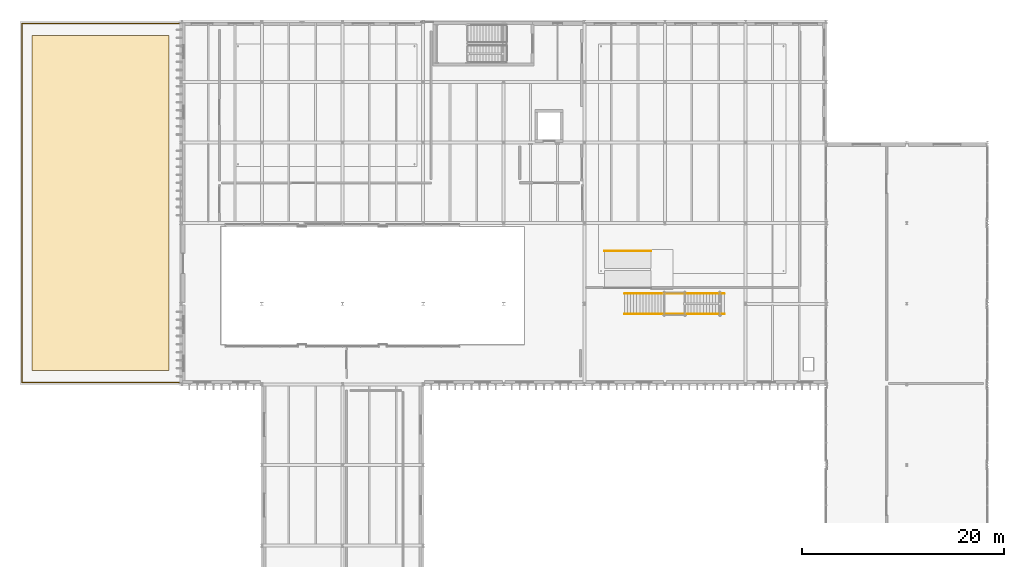
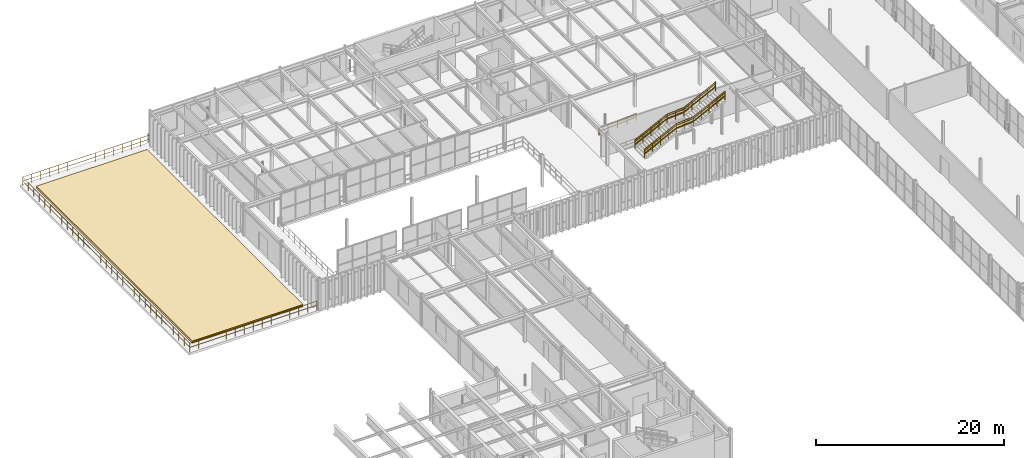
# One storey, part 116 of 122: 6 railings, 1 covering.
"""IFC4 building model written with IfcOpenShell, lengths in metres."""

from ifc_helpers import new_model, si_unit, direction, frame, origin, origin_2d, place, context, subcontext, project, spatial, polyline, circle, outline, extrude, material, layer, layer_set, type_object, element, save


model = new_model("IFC4")

# Units and contexts
model_context = context("Model", 3, precision=1e-05, world=origin(), true_north=direction((0.0, 1.0)))
body_context = subcontext(model_context, "Body", "Model", "MODEL_VIEW")
ifc_project = project(units=[si_unit("LENGTHUNIT", "METRE"), si_unit("AREAUNIT", "SQUARE_METRE"), si_unit("VOLUMEUNIT", "CUBIC_METRE"), si_unit("PLANEANGLEUNIT", "RADIAN"), si_unit("MASSUNIT", "GRAM", prefix="KILO")], contexts=[model_context])

# Site, building, storey
site_placement = place(None, origin())
site = spatial("IfcSite", under=ifc_project, at=site_placement, CompositionType="ELEMENT")
building_placement = place(site_placement, origin())
building = spatial("IfcBuilding", under=site, at=building_placement, Name="Sundkrona Museum", CompositionType="ELEMENT")
storey_placement = place(building_placement, frame((0.0, 0.0, 5.39990234375)))
storey = spatial("IfcBuildingStorey", under=building, at=storey_placement, Name="L01", CompositionType="ELEMENT", Elevation=5.39990234375)

# Covering
ifc_material_1 = material(Name="Extensive Sedum Planting Substrate and Root-Barrier Membrane", Category="other")
ifc_layer = layer(ifc_material_1, 0.300048828125)
ifc_layer_set = layer_set([ifc_layer], Name="Extensive Sedum Planting Substrate and Root-Barrier Membrane")
covering_type = type_object("IfcCoveringType", Name="COV-RF-GRN", PredefinedType="ROOFING", material=ifc_layer_set)
covering_placement = place(storey_placement, origin())
element("IfcCovering", 1, at=covering_placement, inside=storey, type_object=covering_type, Name="L01 West Stepped Terrace Sedum Build-Up (COV-GRN-L01-TR0)", PredefinedType="ROOFING", context=body_context, shape_type="SweptSolid", body=[
    extrude(outline(polyline([(1.199951171875, 79.39990234375), (14.800048828125, 79.39990234375), (14.800048828125, 112.60009765625), (1.199951171875, 112.60009765625), (1.199951171875, 79.39990234375)])), origin(), (0.0, 0.0, 1.0), 0.300048828125),
])

# Railings
ifc_material_2 = material(Name="Painted Steel S355J2 and Laminated Glass Balustrade", Category="steel")
railing_type_1 = type_object("IfcRailingType", Name="RL-GUARD-1100", PredefinedType="BALUSTRADE", material=ifc_material_2)
railing_1_placement = place(storey_placement, frame((15.800048828125, 78.199951171875, 0.0)))
element("IfcRailing", 2, at=railing_1_placement, inside=storey, type_object=railing_type_1, Name="L01 West Stepped Terrace Perimeter Guard", PredefinedType="BALUSTRADE", context=body_context, shape_type="SweptSolid", body=[
    extrude(circle(Radius=0.02392578125, at=origin_2d()), frame((0.0, 0.0, 1.09619140625), z_axis=(-1.0, 0.0, 0.0), x_axis=(0.0, -1.0, 0.0)), (0.0, 0.0, 1.0), 15.60009765625),
    extrude(circle(Radius=0.02392578125, at=origin_2d()), frame((0.0, 0.0, 0.56005859375), z_axis=(-1.0, 0.0, 0.0), x_axis=(0.0, -1.0, 0.0)), (0.0, 0.0, 1.0), 15.60009765625),
    extrude(circle(Radius=0.02392578125, at=origin_2d()), frame((-15.60009765625, 0.0, 1.09619140625), z_axis=(0.0, 1.0, 0.0), x_axis=(-1.0, 0.0, 0.0)), (0.0, 0.0, 1.0), 35.60009765625),
    extrude(circle(Radius=0.02392578125, at=origin_2d()), frame((-15.60009765625, 0.0, 0.56005859375), z_axis=(0.0, 1.0, 0.0), x_axis=(-1.0, 0.0, 0.0)), (0.0, 0.0, 1.0), 35.60009765625),
    extrude(circle(Radius=0.02392578125, at=origin_2d()), frame((-15.60009765625, 35.60009765625, 1.09619140625), z_axis=(1.0, 0.0, 0.0), x_axis=(0.0, 1.0, 0.0)), (0.0, 0.0, 1.0), 15.60009765625),
    extrude(circle(Radius=0.02392578125, at=origin_2d()), frame((-15.60009765625, 35.60009765625, 0.56005859375), z_axis=(1.0, 0.0, 0.0), x_axis=(0.0, 1.0, 0.0)), (0.0, 0.0, 1.0), 15.60009765625),
    extrude(circle(Radius=0.02099609375, at=origin_2d()), origin(), (0.0, 0.0, 1.0), 1.072021484375),
    extrude(circle(Radius=0.02099609375, at=origin_2d()), frame((-1.1142578125, 0.0, 0.0)), (0.0, 0.0, 1.0), 1.072021484375),
    extrude(circle(Radius=0.02099609375, at=origin_2d()), frame((-2.228515625, 0.0, 0.0)), (0.0, 0.0, 1.0), 1.072021484375),
    extrude(circle(Radius=0.02099609375, at=origin_2d()), frame((-3.3427734375, 0.0, 0.0)), (0.0, 0.0, 1.0), 1.072021484375),
    extrude(circle(Radius=0.02099609375, at=origin_2d()), frame((-4.457275390625, 0.0, 0.0)), (0.0, 0.0, 1.0), 1.072021484375),
    extrude(circle(Radius=0.02099609375, at=origin_2d()), frame((-5.571533203125, 0.0, 0.0)), (0.0, 0.0, 1.0), 1.072021484375),
    extrude(circle(Radius=0.02099609375, at=origin_2d()), frame((-6.685791015625, 0.0, 0.0)), (0.0, 0.0, 1.0), 1.072021484375),
    extrude(circle(Radius=0.02099609375, at=origin_2d()), frame((-7.800048828125, 0.0, 0.0)), (0.0, 0.0, 1.0), 1.072021484375),
    extrude(circle(Radius=0.02099609375, at=origin_2d()), frame((-8.914306640625, 0.0, 0.0)), (0.0, 0.0, 1.0), 1.072021484375),
    extrude(circle(Radius=0.02099609375, at=origin_2d()), frame((-10.028564453125, 0.0, 0.0)), (0.0, 0.0, 1.0), 1.072021484375),
    extrude(circle(Radius=0.02099609375, at=origin_2d()), frame((-11.142822265625, 0.0, 0.0)), (0.0, 0.0, 1.0), 1.072021484375),
    extrude(circle(Radius=0.02099609375, at=origin_2d()), frame((-12.25732421875, 0.0, 0.0)), (0.0, 0.0, 1.0), 1.072021484375),
    extrude(circle(Radius=0.02099609375, at=origin_2d()), frame((-13.37158203125, 0.0, 0.0)), (0.0, 0.0, 1.0), 1.072021484375),
    extrude(circle(Radius=0.02099609375, at=origin_2d()), frame((-14.48583984375, 0.0, 0.0)), (0.0, 0.0, 1.0), 1.072021484375),
    extrude(circle(Radius=0.02099609375, at=origin_2d()), frame((-15.60009765625, 0.0, 0.0)), (0.0, 0.0, 1.0), 1.072021484375),
    extrude(circle(Radius=0.02099609375, at=origin_2d()), frame((-15.60009765625, 1.186767578125, 0.0)), (0.0, 0.0, 1.0), 1.072021484375),
    extrude(circle(Radius=0.02099609375, at=origin_2d()), frame((-15.60009765625, 2.373291015625, 0.0)), (0.0, 0.0, 1.0), 1.072021484375),
    extrude(circle(Radius=0.02099609375, at=origin_2d()), frame((-15.60009765625, 3.56005859375, 0.0)), (0.0, 0.0, 1.0), 1.072021484375),
    extrude(circle(Radius=0.02099609375, at=origin_2d()), frame((-15.60009765625, 4.74658203125, 0.0)), (0.0, 0.0, 1.0), 1.072021484375),
    extrude(circle(Radius=0.02099609375, at=origin_2d()), frame((-15.60009765625, 5.933349609375, 0.0)), (0.0, 0.0, 1.0), 1.072021484375),
    extrude(circle(Radius=0.02099609375, at=origin_2d()), frame((-15.60009765625, 7.1201171875, 0.0)), (0.0, 0.0, 1.0), 1.072021484375),
    extrude(circle(Radius=0.02099609375, at=origin_2d()), frame((-15.60009765625, 8.306640625, 0.0)), (0.0, 0.0, 1.0), 1.072021484375),
    extrude(circle(Radius=0.02099609375, at=origin_2d()), frame((-15.60009765625, 9.493408203125, 0.0)), (0.0, 0.0, 1.0), 1.072021484375),
    extrude(circle(Radius=0.02099609375, at=origin_2d()), frame((-15.60009765625, 10.679931640625, 0.0)), (0.0, 0.0, 1.0), 1.072021484375),
    extrude(circle(Radius=0.02099609375, at=origin_2d()), frame((-15.60009765625, 11.86669921875, 0.0)), (0.0, 0.0, 1.0), 1.072021484375),
    extrude(circle(Radius=0.02099609375, at=origin_2d()), frame((-15.60009765625, 13.053466796875, 0.0)), (0.0, 0.0, 1.0), 1.072021484375),
    extrude(circle(Radius=0.02099609375, at=origin_2d()), frame((-15.60009765625, 14.239990234375, 0.0)), (0.0, 0.0, 1.0), 1.072021484375),
    extrude(circle(Radius=0.02099609375, at=origin_2d()), frame((-15.60009765625, 15.4267578125, 0.0)), (0.0, 0.0, 1.0), 1.072021484375),
    extrude(circle(Radius=0.02099609375, at=origin_2d()), frame((-15.60009765625, 16.61328125, 0.0)), (0.0, 0.0, 1.0), 1.072021484375),
    extrude(circle(Radius=0.02099609375, at=origin_2d()), frame((-15.60009765625, 17.800048828125, 0.0)), (0.0, 0.0, 1.0), 1.072021484375),
    extrude(circle(Radius=0.02099609375, at=origin_2d()), frame((-15.60009765625, 18.98681640625, 0.0)), (0.0, 0.0, 1.0), 1.072021484375),
    extrude(circle(Radius=0.02099609375, at=origin_2d()), frame((-15.60009765625, 20.17333984375, 0.0)), (0.0, 0.0, 1.0), 1.072021484375),
    extrude(circle(Radius=0.02099609375, at=origin_2d()), frame((-15.60009765625, 21.360107421875, 0.0)), (0.0, 0.0, 1.0), 1.072021484375),
    extrude(circle(Radius=0.02099609375, at=origin_2d()), frame((-15.60009765625, 22.546630859375, 0.0)), (0.0, 0.0, 1.0), 1.072021484375),
    extrude(circle(Radius=0.02099609375, at=origin_2d()), frame((-15.60009765625, 23.7333984375, 0.0)), (0.0, 0.0, 1.0), 1.072021484375),
    extrude(circle(Radius=0.02099609375, at=origin_2d()), frame((-15.60009765625, 24.920166015625, 0.0)), (0.0, 0.0, 1.0), 1.072021484375),
    extrude(circle(Radius=0.02099609375, at=origin_2d()), frame((-15.60009765625, 26.106689453125, 0.0)), (0.0, 0.0, 1.0), 1.072021484375),
    extrude(circle(Radius=0.02099609375, at=origin_2d()), frame((-15.60009765625, 27.29345703125, 0.0)), (0.0, 0.0, 1.0), 1.072021484375),
    extrude(circle(Radius=0.02099609375, at=origin_2d()), frame((-15.60009765625, 28.47998046875, 0.0)), (0.0, 0.0, 1.0), 1.072021484375),
    extrude(circle(Radius=0.02099609375, at=origin_2d()), frame((-15.60009765625, 29.666748046875, 0.0)), (0.0, 0.0, 1.0), 1.072021484375),
    extrude(circle(Radius=0.02099609375, at=origin_2d()), frame((-15.60009765625, 30.853515625, 0.0)), (0.0, 0.0, 1.0), 1.072021484375),
    extrude(circle(Radius=0.02099609375, at=origin_2d()), frame((-15.60009765625, 32.0400390625, 0.0)), (0.0, 0.0, 1.0), 1.072021484375),
    extrude(circle(Radius=0.02099609375, at=origin_2d()), frame((-15.60009765625, 33.226806640625, 0.0)), (0.0, 0.0, 1.0), 1.072021484375),
    extrude(circle(Radius=0.02099609375, at=origin_2d()), frame((-15.60009765625, 34.413330078125, 0.0)), (0.0, 0.0, 1.0), 1.072021484375),
    extrude(circle(Radius=0.02099609375, at=origin_2d()), frame((-15.60009765625, 35.60009765625, 0.0)), (0.0, 0.0, 1.0), 1.072021484375),
    extrude(circle(Radius=0.02099609375, at=origin_2d()), frame((-14.48583984375, 35.60009765625, 0.0)), (0.0, 0.0, 1.0), 1.072021484375),
    extrude(circle(Radius=0.02099609375, at=origin_2d()), frame((-13.37158203125, 35.60009765625, 0.0)), (0.0, 0.0, 1.0), 1.072021484375),
    extrude(circle(Radius=0.02099609375, at=origin_2d()), frame((-12.25732421875, 35.60009765625, 0.0)), (0.0, 0.0, 1.0), 1.072021484375),
    extrude(circle(Radius=0.02099609375, at=origin_2d()), frame((-11.142822265625, 35.60009765625, 0.0)), (0.0, 0.0, 1.0), 1.072021484375),
    extrude(circle(Radius=0.02099609375, at=origin_2d()), frame((-10.028564453125, 35.60009765625, 0.0)), (0.0, 0.0, 1.0), 1.072021484375),
    extrude(circle(Radius=0.02099609375, at=origin_2d()), frame((-8.914306640625, 35.60009765625, 0.0)), (0.0, 0.0, 1.0), 1.072021484375),
    extrude(circle(Radius=0.02099609375, at=origin_2d()), frame((-7.800048828125, 35.60009765625, 0.0)), (0.0, 0.0, 1.0), 1.072021484375),
    extrude(circle(Radius=0.02099609375, at=origin_2d()), frame((-6.685791015625, 35.60009765625, 0.0)), (0.0, 0.0, 1.0), 1.072021484375),
    extrude(circle(Radius=0.02099609375, at=origin_2d()), frame((-5.571533203125, 35.60009765625, 0.0)), (0.0, 0.0, 1.0), 1.072021484375),
    extrude(circle(Radius=0.02099609375, at=origin_2d()), frame((-4.457275390625, 35.60009765625, 0.0)), (0.0, 0.0, 1.0), 1.072021484375),
    extrude(circle(Radius=0.02099609375, at=origin_2d()), frame((-3.3427734375, 35.60009765625, 0.0)), (0.0, 0.0, 1.0), 1.072021484375),
    extrude(circle(Radius=0.02099609375, at=origin_2d()), frame((-2.228515625, 35.60009765625, 0.0)), (0.0, 0.0, 1.0), 1.072021484375),
    extrude(circle(Radius=0.02099609375, at=origin_2d()), frame((-1.1142578125, 35.60009765625, 0.0)), (0.0, 0.0, 1.0), 1.072021484375),
    extrude(circle(Radius=0.02099609375, at=origin_2d()), frame((0.0, 35.60009765625, 0.0)), (0.0, 0.0, 1.0), 1.072021484375),
])
railing_2_placement = place(storey_placement, frame((60.0, 87.0, 0.150146484375)))
element("IfcRailing", 3, at=railing_2_placement, inside=storey, type_object=railing_type_1, Name="FS-6 Feature Stair Balustrade L", PredefinedType="BALUSTRADE", context=body_context, shape_type="SweptSolid", body=[
    extrude(circle(Radius=0.02392578125, at=origin_2d()), frame((0.0, 0.0, 1.09619140625), z_axis=(0.894427191, 0.0, 0.4472135955), x_axis=(0.0, 1.0, 0.0)), (0.0, 0.0, 1.0), 4.360107421875),
    extrude(circle(Radius=0.02392578125, at=origin_2d()), frame((0.0, 0.0, 0.56005859375), z_axis=(0.894427191, 0.0, 0.4472135955), x_axis=(0.0, 1.0, 0.0)), (0.0, 0.0, 1.0), 4.360107421875),
    extrude(circle(Radius=0.02392578125, at=origin_2d()), frame((3.89990234375, 0.0, 3.0458984375), z_axis=(0.997462230291, 0.0, 0.071197606301), x_axis=(0.0, 1.0, 0.0)), (0.0, 0.0, 1.0), 2.10546875),
    extrude(circle(Radius=0.02392578125, at=origin_2d()), frame((3.89990234375, 0.0, 2.510009765625), z_axis=(0.997462230291, 0.0, 0.071197606301), x_axis=(0.0, 1.0, 0.0)), (0.0, 0.0, 1.0), 2.10546875),
    extrude(circle(Radius=0.02392578125, at=origin_2d()), frame((6.0, 0.0, 3.19580078125), z_axis=(0.894404793364, 0.0, 0.447258387967), x_axis=(0.0, 1.0, 0.0)), (0.0, 0.0, 1.0), 4.3603515625),
    extrude(circle(Radius=0.02392578125, at=origin_2d()), frame((6.0, 0.0, 2.659912109375), z_axis=(0.894404793364, 0.0, 0.447258387967), x_axis=(0.0, 1.0, 0.0)), (0.0, 0.0, 1.0), 4.3603515625),
    extrude(circle(Radius=0.02099609375, at=origin_2d()), origin(), (0.0, 0.0, 1.0), 1.072021484375),
    extrude(circle(Radius=0.02099609375, at=origin_2d()), frame((0.97509765625, 0.0, 0.487548828125)), (0.0, 0.0, 1.0), 1.072021484375),
    extrude(circle(Radius=0.02099609375, at=origin_2d()), frame((1.949951171875, 0.0, 0.97509765625)), (0.0, 0.0, 1.0), 1.072021484375),
    extrude(circle(Radius=0.02099609375, at=origin_2d()), frame((2.9248046875, 0.0, 1.46240234375)), (0.0, 0.0, 1.0), 1.072021484375),
    extrude(circle(Radius=0.02099609375, at=origin_2d()), frame((3.89990234375, 0.0, 1.949951171875)), (0.0, 0.0, 1.0), 1.072021484375),
    extrude(circle(Radius=0.02099609375, at=origin_2d()), frame((4.949951171875, 0.0, 2.02490234375)), (0.0, 0.0, 1.0), 1.072021484375),
    extrude(circle(Radius=0.02099609375, at=origin_2d()), frame((6.0, 0.0, 2.099853515625)), (0.0, 0.0, 1.0), 1.072021484375),
    extrude(circle(Radius=0.02099609375, at=origin_2d()), frame((6.97509765625, 0.0, 2.58740234375)), (0.0, 0.0, 1.0), 1.072021484375),
    extrude(circle(Radius=0.02099609375, at=origin_2d()), frame((7.949951171875, 0.0, 3.074951171875)), (0.0, 0.0, 1.0), 1.072021484375),
    extrude(circle(Radius=0.02099609375, at=origin_2d()), frame((8.9248046875, 0.0, 3.5625)), (0.0, 0.0, 1.0), 1.072021484375),
    extrude(circle(Radius=0.02099609375, at=origin_2d()), frame((9.89990234375, 0.0, 4.050048828125)), (0.0, 0.0, 1.0), 1.072021484375),
])
railing_3_placement = place(storey_placement, frame((60.0, 85.0, 0.150146484375)))
element("IfcRailing", 4, at=railing_3_placement, inside=storey, type_object=railing_type_1, Name="FS-6 Feature Stair Balustrade R", PredefinedType="BALUSTRADE", context=body_context, shape_type="SweptSolid", body=[
    extrude(circle(Radius=0.02392578125, at=origin_2d()), frame((0.0, 0.0, 1.09619140625), z_axis=(0.894427191, 0.0, 0.4472135955), x_axis=(0.0, 1.0, 0.0)), (0.0, 0.0, 1.0), 4.360107421875),
    extrude(circle(Radius=0.02392578125, at=origin_2d()), frame((0.0, 0.0, 0.56005859375), z_axis=(0.894427191, 0.0, 0.4472135955), x_axis=(0.0, 1.0, 0.0)), (0.0, 0.0, 1.0), 4.360107421875),
    extrude(circle(Radius=0.02392578125, at=origin_2d()), frame((3.89990234375, 0.0, 3.0458984375), z_axis=(0.997462230291, 0.0, 0.071197606301), x_axis=(0.0, 1.0, 0.0)), (0.0, 0.0, 1.0), 2.10546875),
    extrude(circle(Radius=0.02392578125, at=origin_2d()), frame((3.89990234375, 0.0, 2.510009765625), z_axis=(0.997462230291, 0.0, 0.071197606301), x_axis=(0.0, 1.0, 0.0)), (0.0, 0.0, 1.0), 2.10546875),
    extrude(circle(Radius=0.02392578125, at=origin_2d()), frame((6.0, 0.0, 3.19580078125), z_axis=(0.894404793364, 0.0, 0.447258387967), x_axis=(0.0, 1.0, 0.0)), (0.0, 0.0, 1.0), 4.3603515625),
    extrude(circle(Radius=0.02392578125, at=origin_2d()), frame((6.0, 0.0, 2.659912109375), z_axis=(0.894404793364, 0.0, 0.447258387967), x_axis=(0.0, 1.0, 0.0)), (0.0, 0.0, 1.0), 4.3603515625),
    extrude(circle(Radius=0.02099609375, at=origin_2d()), origin(), (0.0, 0.0, 1.0), 1.072021484375),
    extrude(circle(Radius=0.02099609375, at=origin_2d()), frame((0.97509765625, 0.0, 0.487548828125)), (0.0, 0.0, 1.0), 1.072021484375),
    extrude(circle(Radius=0.02099609375, at=origin_2d()), frame((1.949951171875, 0.0, 0.97509765625)), (0.0, 0.0, 1.0), 1.072021484375),
    extrude(circle(Radius=0.02099609375, at=origin_2d()), frame((2.9248046875, 0.0, 1.46240234375)), (0.0, 0.0, 1.0), 1.072021484375),
    extrude(circle(Radius=0.02099609375, at=origin_2d()), frame((3.89990234375, 0.0, 1.949951171875)), (0.0, 0.0, 1.0), 1.072021484375),
    extrude(circle(Radius=0.02099609375, at=origin_2d()), frame((4.949951171875, 0.0, 2.02490234375)), (0.0, 0.0, 1.0), 1.072021484375),
    extrude(circle(Radius=0.02099609375, at=origin_2d()), frame((6.0, 0.0, 2.099853515625)), (0.0, 0.0, 1.0), 1.072021484375),
    extrude(circle(Radius=0.02099609375, at=origin_2d()), frame((6.97509765625, 0.0, 2.58740234375)), (0.0, 0.0, 1.0), 1.072021484375),
    extrude(circle(Radius=0.02099609375, at=origin_2d()), frame((7.949951171875, 0.0, 3.074951171875)), (0.0, 0.0, 1.0), 1.072021484375),
    extrude(circle(Radius=0.02099609375, at=origin_2d()), frame((8.9248046875, 0.0, 3.5625)), (0.0, 0.0, 1.0), 1.072021484375),
    extrude(circle(Radius=0.02099609375, at=origin_2d()), frame((9.89990234375, 0.0, 4.050048828125)), (0.0, 0.0, 1.0), 1.072021484375),
])
ifc_material_3 = material(Name="Brushed Bronze-Clad Steel Handrail", Category="steel")
railing_type_2 = type_object("IfcRailingType", Name="RL-HAND-900", PredefinedType="HANDRAIL", material=ifc_material_3)
railing_4_placement = place(storey_placement, frame((60.0, 87.0, 0.150146484375)))
element("IfcRailing", 5, at=railing_4_placement, inside=storey, type_object=railing_type_2, Name="FS-6 Feature Stair Handrail L", PredefinedType="HANDRAIL", context=body_context, shape_type="SweptSolid", body=[
    extrude(circle(Radius=0.02392578125, at=origin_2d()), frame((0.0, 0.0, 0.8759765625), z_axis=(0.894427191, 0.0, 0.4472135955), x_axis=(0.0, 1.0, 0.0)), (0.0, 0.0, 1.0), 4.360107421875),
    extrude(circle(Radius=0.02392578125, at=origin_2d()), frame((0.0, 0.0, 0.449951171875), z_axis=(0.894427191, 0.0, 0.4472135955), x_axis=(0.0, 1.0, 0.0)), (0.0, 0.0, 1.0), 4.360107421875),
    extrude(circle(Radius=0.02392578125, at=origin_2d()), frame((3.89990234375, 0.0, 2.82568359375), z_axis=(0.997462230291, 0.0, 0.071197606301), x_axis=(0.0, 1.0, 0.0)), (0.0, 0.0, 1.0), 2.10546875),
    extrude(circle(Radius=0.02392578125, at=origin_2d()), frame((3.89990234375, 0.0, 2.39990234375), z_axis=(0.997462230291, 0.0, 0.071197606301), x_axis=(0.0, 1.0, 0.0)), (0.0, 0.0, 1.0), 2.10546875),
    extrude(circle(Radius=0.02392578125, at=origin_2d()), frame((6.0, 0.0, 2.9755859375), z_axis=(0.894404793364, 0.0, 0.447258387967), x_axis=(0.0, 1.0, 0.0)), (0.0, 0.0, 1.0), 4.3603515625),
    extrude(circle(Radius=0.02392578125, at=origin_2d()), frame((6.0, 0.0, 2.5498046875), z_axis=(0.894404793364, 0.0, 0.447258387967), x_axis=(0.0, 1.0, 0.0)), (0.0, 0.0, 1.0), 4.3603515625),
    extrude(circle(Radius=0.02099609375, at=origin_2d()), origin(), (0.0, 0.0, 1.0), 0.851806640625),
    extrude(circle(Radius=0.02099609375, at=origin_2d()), frame((0.97509765625, 0.0, 0.487548828125)), (0.0, 0.0, 1.0), 0.851806640625),
    extrude(circle(Radius=0.02099609375, at=origin_2d()), frame((1.949951171875, 0.0, 0.97509765625)), (0.0, 0.0, 1.0), 0.851806640625),
    extrude(circle(Radius=0.02099609375, at=origin_2d()), frame((2.9248046875, 0.0, 1.46240234375)), (0.0, 0.0, 1.0), 0.851806640625),
    extrude(circle(Radius=0.02099609375, at=origin_2d()), frame((3.89990234375, 0.0, 1.949951171875)), (0.0, 0.0, 1.0), 0.851806640625),
    extrude(circle(Radius=0.02099609375, at=origin_2d()), frame((4.949951171875, 0.0, 2.02490234375)), (0.0, 0.0, 1.0), 0.851806640625),
    extrude(circle(Radius=0.02099609375, at=origin_2d()), frame((6.0, 0.0, 2.099853515625)), (0.0, 0.0, 1.0), 0.851806640625),
    extrude(circle(Radius=0.02099609375, at=origin_2d()), frame((6.97509765625, 0.0, 2.58740234375)), (0.0, 0.0, 1.0), 0.851806640625),
    extrude(circle(Radius=0.02099609375, at=origin_2d()), frame((7.949951171875, 0.0, 3.074951171875)), (0.0, 0.0, 1.0), 0.851806640625),
    extrude(circle(Radius=0.02099609375, at=origin_2d()), frame((8.9248046875, 0.0, 3.5625)), (0.0, 0.0, 1.0), 0.851806640625),
    extrude(circle(Radius=0.02099609375, at=origin_2d()), frame((9.89990234375, 0.0, 4.050048828125)), (0.0, 0.0, 1.0), 0.851806640625),
])
railing_5_placement = place(storey_placement, frame((60.0, 85.0, 0.150146484375)))
element("IfcRailing", 6, at=railing_5_placement, inside=storey, type_object=railing_type_2, Name="FS-6 Feature Stair Handrail R", PredefinedType="HANDRAIL", context=body_context, shape_type="SweptSolid", body=[
    extrude(circle(Radius=0.02392578125, at=origin_2d()), frame((0.0, 0.0, 0.8759765625), z_axis=(0.894427191, 0.0, 0.4472135955), x_axis=(0.0, 1.0, 0.0)), (0.0, 0.0, 1.0), 4.360107421875),
    extrude(circle(Radius=0.02392578125, at=origin_2d()), frame((0.0, 0.0, 0.449951171875), z_axis=(0.894427191, 0.0, 0.4472135955), x_axis=(0.0, 1.0, 0.0)), (0.0, 0.0, 1.0), 4.360107421875),
    extrude(circle(Radius=0.02392578125, at=origin_2d()), frame((3.89990234375, 0.0, 2.82568359375), z_axis=(0.997462230291, 0.0, 0.071197606301), x_axis=(0.0, 1.0, 0.0)), (0.0, 0.0, 1.0), 2.10546875),
    extrude(circle(Radius=0.02392578125, at=origin_2d()), frame((3.89990234375, 0.0, 2.39990234375), z_axis=(0.997462230291, 0.0, 0.071197606301), x_axis=(0.0, 1.0, 0.0)), (0.0, 0.0, 1.0), 2.10546875),
    extrude(circle(Radius=0.02392578125, at=origin_2d()), frame((6.0, 0.0, 2.9755859375), z_axis=(0.894404793364, 0.0, 0.447258387967), x_axis=(0.0, 1.0, 0.0)), (0.0, 0.0, 1.0), 4.3603515625),
    extrude(circle(Radius=0.02392578125, at=origin_2d()), frame((6.0, 0.0, 2.5498046875), z_axis=(0.894404793364, 0.0, 0.447258387967), x_axis=(0.0, 1.0, 0.0)), (0.0, 0.0, 1.0), 4.3603515625),
    extrude(circle(Radius=0.02099609375, at=origin_2d()), origin(), (0.0, 0.0, 1.0), 0.851806640625),
    extrude(circle(Radius=0.02099609375, at=origin_2d()), frame((0.97509765625, 0.0, 0.487548828125)), (0.0, 0.0, 1.0), 0.851806640625),
    extrude(circle(Radius=0.02099609375, at=origin_2d()), frame((1.949951171875, 0.0, 0.97509765625)), (0.0, 0.0, 1.0), 0.851806640625),
    extrude(circle(Radius=0.02099609375, at=origin_2d()), frame((2.9248046875, 0.0, 1.46240234375)), (0.0, 0.0, 1.0), 0.851806640625),
    extrude(circle(Radius=0.02099609375, at=origin_2d()), frame((3.89990234375, 0.0, 1.949951171875)), (0.0, 0.0, 1.0), 0.851806640625),
    extrude(circle(Radius=0.02099609375, at=origin_2d()), frame((4.949951171875, 0.0, 2.02490234375)), (0.0, 0.0, 1.0), 0.851806640625),
    extrude(circle(Radius=0.02099609375, at=origin_2d()), frame((6.0, 0.0, 2.099853515625)), (0.0, 0.0, 1.0), 0.851806640625),
    extrude(circle(Radius=0.02099609375, at=origin_2d()), frame((6.97509765625, 0.0, 2.58740234375)), (0.0, 0.0, 1.0), 0.851806640625),
    extrude(circle(Radius=0.02099609375, at=origin_2d()), frame((7.949951171875, 0.0, 3.074951171875)), (0.0, 0.0, 1.0), 0.851806640625),
    extrude(circle(Radius=0.02099609375, at=origin_2d()), frame((8.9248046875, 0.0, 3.5625)), (0.0, 0.0, 1.0), 0.851806640625),
    extrude(circle(Radius=0.02099609375, at=origin_2d()), frame((9.89990234375, 0.0, 4.050048828125)), (0.0, 0.0, 1.0), 0.851806640625),
])
railing_6_placement = place(storey_placement, frame((62.60009765625, 91.25, 0.280029296875)))
element("IfcRailing", 7, at=railing_6_placement, inside=storey, type_object=railing_type_2, Name="RMP-04 Handrail North", PredefinedType="HANDRAIL", context=body_context, shape_type="SweptSolid", body=[
    extrude(circle(Radius=0.02392578125, at=origin_2d()), frame((0.0, 0.0, 0.8759765625), z_axis=(-0.998152272785, 0.0, -0.060762162025), x_axis=(0.0, -1.0, 0.0)), (0.0, 0.0, 1.0), 4.608642578125),
    extrude(circle(Radius=0.02392578125, at=origin_2d()), frame((0.0, 0.0, 0.449951171875), z_axis=(-0.998152272785, 0.0, -0.060762162025), x_axis=(0.0, -1.0, 0.0)), (0.0, 0.0, 1.0), 4.608642578125),
    extrude(circle(Radius=0.02099609375, at=origin_2d()), origin(), (0.0, 0.0, 1.0), 0.851806640625),
    extrude(circle(Radius=0.02099609375, at=origin_2d()), frame((-1.14990234375, 0.0, -0.070068359375)), (0.0, 0.0, 1.0), 0.851806640625),
    extrude(circle(Radius=0.02099609375, at=origin_2d()), frame((-2.300048828125, 0.0, -0.14013671875)), (0.0, 0.0, 1.0), 0.851806640625),
    extrude(circle(Radius=0.02099609375, at=origin_2d()), frame((-3.4501953125, 0.0, -0.2099609375)), (0.0, 0.0, 1.0), 0.851806640625),
    extrude(circle(Radius=0.02099609375, at=origin_2d()), frame((-4.60009765625, 0.0, -0.280029296875)), (0.0, 0.0, 1.0), 0.851806640625),
])

save(model, "model.ifc")
